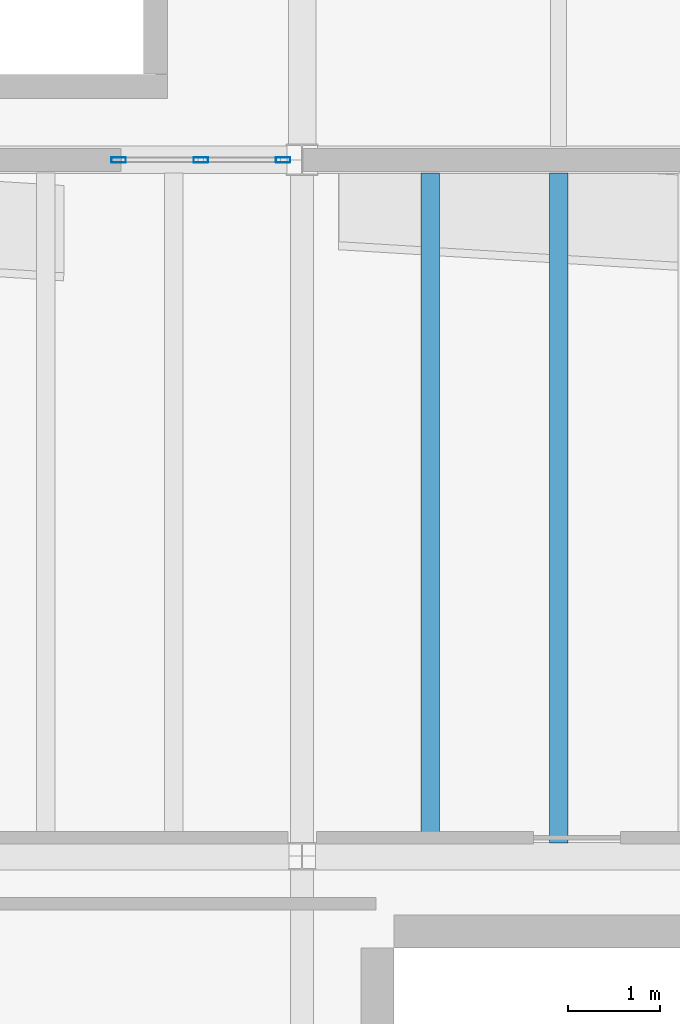
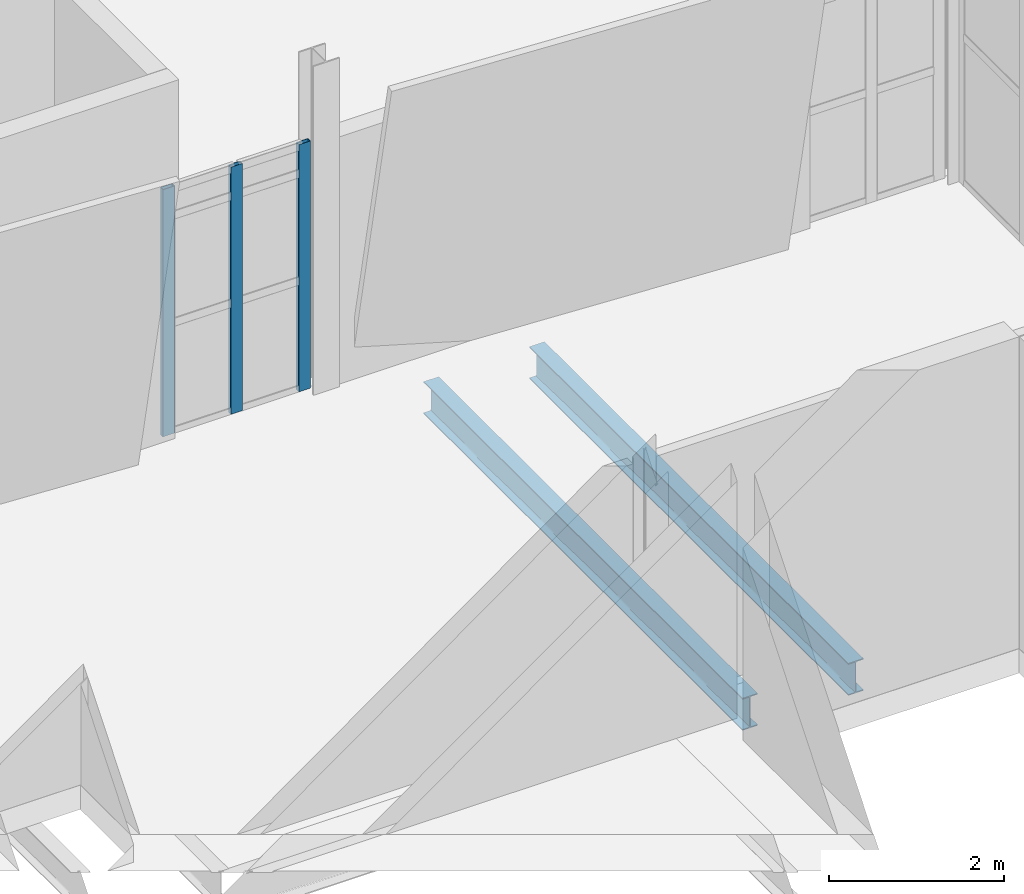
# One storey, part 15 of 136: 3 members, 2 beams, 1 element without a shape of its own.
"""IFC4 building model written with IfcOpenShell, lengths in metres."""

from ifc_helpers import new_model, si_unit, direction, frame, origin, origin_2d, place, context, subcontext, project, spatial, hollow_rectangle, i_section, extrude, material, material_profile, profile_set, type_object, element, aggregate, save


model = new_model("IFC4")

# Units and contexts
model_context = context("Model", 3, precision=1e-05, world=origin(), true_north=direction((0.0, 1.0)))
body_context = subcontext(model_context, "Body", "Model", "MODEL_VIEW")
ifc_project = project(units=[si_unit("LENGTHUNIT", "METRE"), si_unit("AREAUNIT", "SQUARE_METRE"), si_unit("VOLUMEUNIT", "CUBIC_METRE"), si_unit("PLANEANGLEUNIT", "RADIAN"), si_unit("MASSUNIT", "GRAM", prefix="KILO")], contexts=[model_context])

# Site, building, storey
site_placement = place(None, origin())
site = spatial("IfcSite", under=ifc_project, at=site_placement, CompositionType="ELEMENT")
building_placement = place(site_placement, origin())
building = spatial("IfcBuilding", under=site, at=building_placement, Name="Shengluoqiao Park Theatre", CompositionType="ELEMENT")
storey_placement = place(building_placement, frame((0.0, 0.0, 10.0)))
storey = spatial("IfcBuildingStorey", under=building, at=storey_placement, Name="L02", CompositionType="ELEMENT", Elevation=10.0)

# Curtain wall, members
ifc_material_1 = material(Name="Aluminium 6063-T6", Category="aluminium")
curtain_wall_type = type_object("IfcCurtainWallType", Name="ENV-CW-STUDIO", PredefinedType="NOTDEFINED", material=ifc_material_1)
curtain_wall_placement = place(storey_placement, origin())
curtain_wall = element("IfcCurtainWall", 1, at=curtain_wall_placement, inside=storey, type_object=curtain_wall_type, Name="L02 Curtain Wall CWX-L02-0025", PredefinedType="NOTDEFINED")
ifc_material_profile_1 = material_profile(ifc_material_1, hollow_rectangle(XDim=0.06005859375, YDim=0.159912109375, WallThickness=0.00390625, InnerFilletRadius=0.00390625, OuterFilletRadius=0.008056640625, at=origin_2d()), Name="ALU MULLION 160x60x4")
ifc_profile_set_1 = profile_set([ifc_material_profile_1], Name="Aluminium 6063-T6")
member_type = type_object("IfcMemberType", Name="ENV-MUL-160", PredefinedType="MULLION", material=ifc_profile_set_1)
member_1_placement = place(storey_placement, frame((25.596923828125, 30.39990234375, 0.0), z_axis=(0.0, 0.0, 1.0), x_axis=(0.0, 1.0, 0.0)))
member_1 = element("IfcMember", 2, at=member_1_placement, type_object=member_type, Name="CW-02 mullion 1", PredefinedType="MULLION", context=body_context, shape_type="SweptSolid", body=[
    extrude(hollow_rectangle(XDim=0.06005859375, YDim=0.159912109375, WallThickness=0.00390625, InnerFilletRadius=0.00390625, OuterFilletRadius=0.008056640625, at=origin_2d()), origin(), (0.0, 0.0, 1.0), 3.4580078125),
])
member_2_placement = place(storey_placement, frame((26.494384765625, 30.39990234375, 0.0), z_axis=(0.0, 0.0, 1.0), x_axis=(0.0, 1.0, 0.0)))
member_2 = element("IfcMember", 3, at=member_2_placement, type_object=member_type, Name="CW-02 mullion 2", PredefinedType="MULLION", context=body_context, shape_type="SweptSolid", body=[
    extrude(hollow_rectangle(XDim=0.06005859375, YDim=0.159912109375, WallThickness=0.00390625, InnerFilletRadius=0.00390625, OuterFilletRadius=0.008056640625, at=origin_2d()), origin(), (0.0, 0.0, 1.0), 3.4580078125),
])
member_3_placement = place(storey_placement, frame((27.39208984375, 30.39990234375, 0.0), z_axis=(0.0, 0.0, 1.0), x_axis=(0.0, 1.0, 0.0)))
member_3 = element("IfcMember", 4, at=member_3_placement, type_object=member_type, Name="CW-02 mullion 3", PredefinedType="MULLION", context=body_context, shape_type="SweptSolid", body=[
    extrude(hollow_rectangle(XDim=0.06005859375, YDim=0.159912109375, WallThickness=0.00390625, InnerFilletRadius=0.00390625, OuterFilletRadius=0.008056640625, at=origin_2d()), origin(), (0.0, 0.0, 1.0), 3.4580078125),
])
aggregate(curtain_wall, [member_1, member_2, member_3])

# Beams
ifc_material_2 = material(Name="Steel Q355", Category="steel")
ifc_material_profile_2 = material_profile(ifc_material_2, i_section(OverallWidth=0.199951171875, OverallDepth=0.449951171875, WebThickness=0.009033203125, FlangeThickness=0.013916015625, FilletRadius=0.01611328125, at=origin_2d()), Name="HN 450x200x9x14")
ifc_profile_set_2 = profile_set([ifc_material_profile_2], Name="Steel Q355")
beam_type = type_object("IfcBeamType", Name="STR-BM-J-HN450", PredefinedType="JOIST", material=ifc_profile_set_2)
for number, where, z_axis, x_axis, name in (
    (5, (29.0, 22.945068359375, -0.56494140625), (0.0, 1.0, 0.0), (-1.0, 0.0, 0.0), "L02 Composite Joist 00940"),
    (6, (30.39990234375, 22.945068359375, -0.56494140625), (0.0, 1.0, 0.0), (-1.0, 0.0, 0.0), "L02 Composite Joist 00941"),
):
    element("IfcBeam", number, at=place(storey_placement, frame(where, z_axis=z_axis, x_axis=x_axis)), inside=storey, type_object=beam_type, Name=name, PredefinedType="JOIST", context=body_context, shape_type="SweptSolid", body=[
        extrude(i_section(OverallWidth=0.199951171875, OverallDepth=0.449951171875, WebThickness=0.009033203125, FlangeThickness=0.013916015625, FilletRadius=0.01611328125, at=origin_2d()), origin(), (0.0, 0.0, 1.0), 7.309814453125),
    ])

save(model, "model.ifc")
